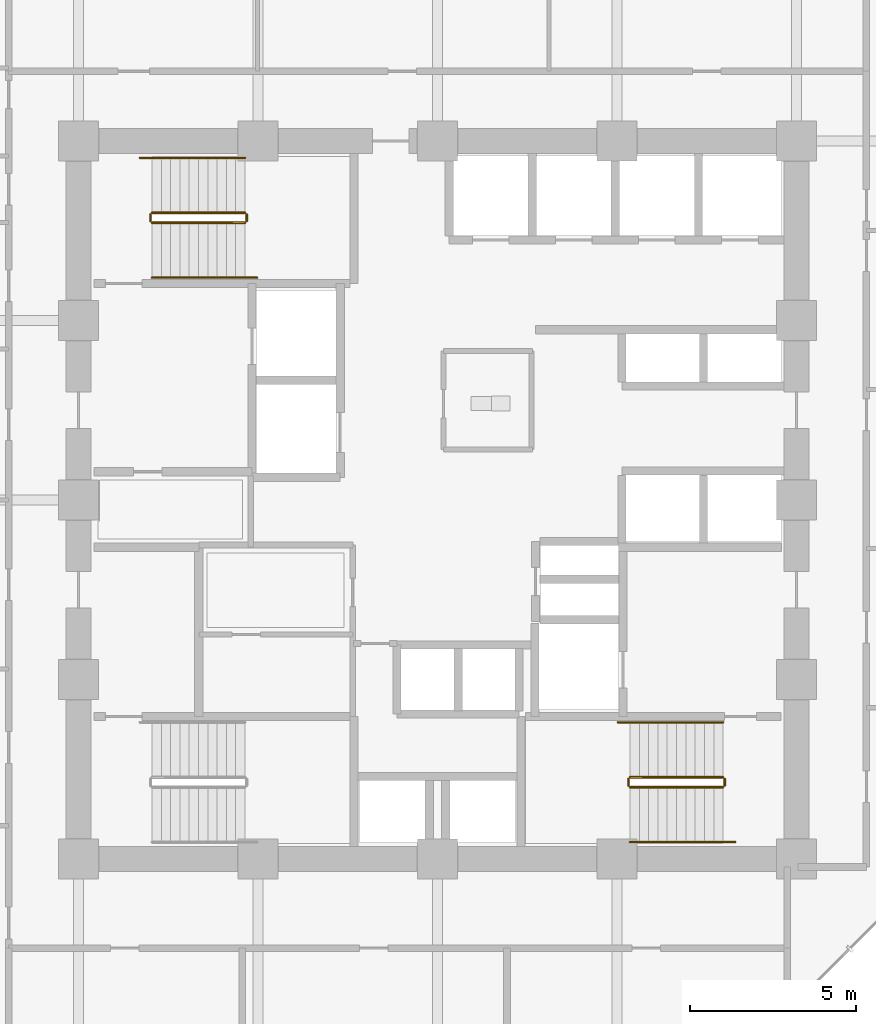
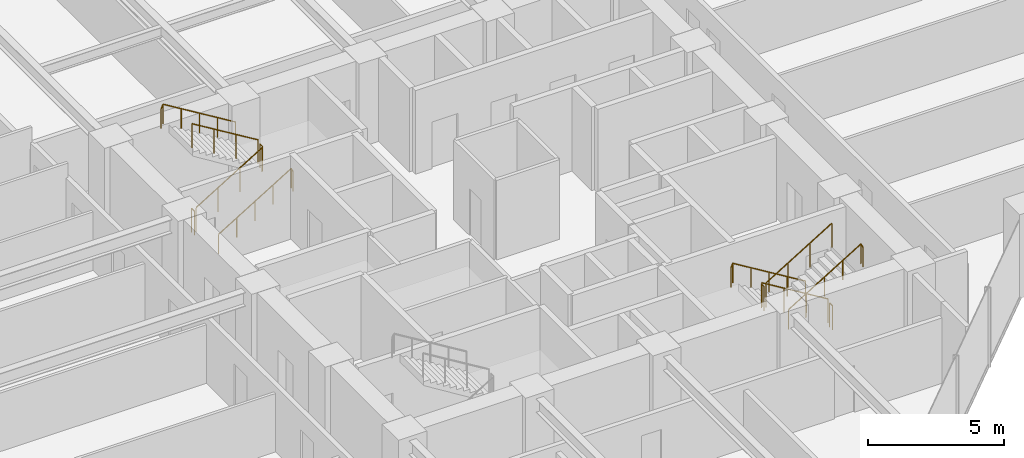
# One storey, part 26 of 28: 12 railings.
"""IFC4 building model written with IfcOpenShell, lengths in metres."""

import ifcopenshell
import ifcopenshell.guid

model = None  # the IFC model being written
_history = None  # IfcOwnerHistory: only IFC2X3 demands one
_inside = {}  # id of a spatial element -> (the spatial element, [elements in it])
_under = {}  # id of a project, library or spatial element -> (it, [spatial elements below it])
_declared = {}  # id of a project -> (the project, [libraries it declares])
_typed = {}  # id of a type object -> (the type object, [elements of that type])
_made_of = {}  # id of a material, layer set ... -> (it, [elements and type objects made of it])


def new_model(schema):
    """Start an empty IFC model of exactly this schema.

    Asked for "IFC4X3", IfcOpenShell would pick the latest addendum, in which some entities
    have other attributes; the version numbers below select the first issue.
    IFC2X3 requires an IfcOwnerHistory on every rooted entity: one is made here for all.
    """
    global model, _history
    if schema == "IFC4X3":
        model = ifcopenshell.file(schema_version=(4, 3, 0, 0))
    else:
        model = ifcopenshell.file(schema=schema)
    _inside.clear()
    _under.clear()
    _declared.clear()
    _typed.clear()
    _made_of.clear()
    _history = None
    if model.schema == "IFC2X3":
        org = make("IfcOrganization", Name="unknown")
        user = make(
            "IfcPersonAndOrganization",
            ThePerson=make("IfcPerson", FamilyName="unknown"),
            TheOrganization=org,
        )
        app = make(
            "IfcApplication",
            ApplicationDeveloper=org,
            Version="unknown",
            ApplicationFullName="unknown",
            ApplicationIdentifier="unknown",
        )
        _history = make(
            "IfcOwnerHistory",
            OwningUser=user,
            OwningApplication=app,
            ChangeAction="ADDED",
            CreationDate=0,
        )
    return model


def make(cls, **values):
    """One entity of the class cls with the attributes given. An attribute that is None is left unset."""
    return model.create_entity(
        cls, **{name: value for name, value in values.items() if value is not None}
    )


def rooted(cls, **values):
    """An entity with a GlobalId (a new one), such as an element, a storey or a relation."""
    return make(cls, GlobalId=ifcopenshell.guid.new(), OwnerHistory=_history, **values)


def si_unit(unit_type, name, prefix=None):
    """IfcSIUnit, for example si_unit("LENGTHUNIT", "METRE", prefix="MILLI")."""
    return make("IfcSIUnit", UnitType=unit_type, Prefix=prefix, Name=name)


def assignment(units):
    """IfcUnitAssignment: the units of a project."""
    return None if units is None else make("IfcUnitAssignment", Units=units)


def point(xyz):
    """IfcCartesianPoint."""
    return None if xyz is None else make("IfcCartesianPoint", Coordinates=xyz)


def direction(xyz):
    """IfcDirection."""
    return None if xyz is None else make("IfcDirection", DirectionRatios=xyz)


def frame(location, z_axis=None, x_axis=None):
    """IfcAxis2Placement3D, a coordinate frame: its origin and axes. An axis left out is left unset."""
    return make(
        "IfcAxis2Placement3D",
        Location=point(location),
        Axis=direction(z_axis),
        RefDirection=direction(x_axis),
    )


def frame_2d(location, x_axis=None):
    """IfcAxis2Placement2D, a coordinate frame in the plane: its origin and x axis."""
    return make(
        "IfcAxis2Placement2D", Location=point(location), RefDirection=direction(x_axis)
    )


def origin():
    """The frame at (0, 0, 0) with its axes left unset."""
    return frame((0.0, 0.0, 0.0))


def origin_2d():
    """The frame at (0, 0) in the plane with its x axis left unset."""
    return frame_2d((0.0, 0.0))


def place(relative_to, where):
    """IfcLocalPlacement: puts the frame where relative to a parent placement (None: the world)."""
    return make(
        "IfcLocalPlacement", PlacementRelTo=relative_to, RelativePlacement=where
    )


def context(
    kind, dimensions, precision=None, world=None, true_north=None, identifier=None
):
    """IfcGeometricRepresentationContext, for example the 3D "Model" context."""
    return make(
        "IfcGeometricRepresentationContext",
        ContextIdentifier=identifier,
        ContextType=kind,
        CoordinateSpaceDimension=dimensions,
        Precision=precision,
        WorldCoordinateSystem=world,
        TrueNorth=true_north,
    )


def subcontext(parent, identifier, kind, view, scale=None):
    """IfcGeometricRepresentationSubContext, for example "Body" below "Model"."""
    return make(
        "IfcGeometricRepresentationSubContext",
        ContextIdentifier=identifier,
        ContextType=kind,
        ParentContext=parent,
        TargetScale=scale,
        TargetView=view,
    )


def project(units=None, contexts=None):
    """IfcProject with its units and contexts."""
    return rooted(
        "IfcProject",
        Name="project",
        RepresentationContexts=contexts,
        UnitsInContext=assignment(units),
    )


def spatial(cls, under=None, at=None, **own):
    """A site, building, storey or space (cls), placed at a placement, below another one or the project."""
    s = rooted(cls, ObjectPlacement=at, **own)
    if under is not None:
        _under.setdefault(under.id(), (under, []))[1].append(s)
    return s


def profile(cls, at=None, kind="AREA", **sizes):
    """A parametric profile (cls). Its sizes go by their IFC names, for example OverallWidth=200.0."""
    return make(cls, ProfileType=kind, Position=at, **sizes)


def circle(**sizes):
    """IfcCircleProfileDef."""
    return profile("IfcCircleProfileDef", **sizes)


def extrude(swept, where, along, depth):
    """IfcExtrudedAreaSolid: the profile swept, set in the frame where, extruded along a direction by depth."""
    return make(
        "IfcExtrudedAreaSolid",
        SweptArea=swept,
        Position=where,
        ExtrudedDirection=direction(along),
        Depth=depth,
    )


def shape(context_of_items, identifier, shape_type, items):
    """IfcShapeRepresentation: the items that make up one representation, for example the "Body"."""
    return make(
        "IfcShapeRepresentation",
        ContextOfItems=context_of_items,
        RepresentationIdentifier=identifier,
        RepresentationType=shape_type,
        Items=items,
    )


def material(Name=None, Category=None):
    """IfcMaterial."""
    return make("IfcMaterial", Name=Name, Category=Category)


def made_of(thing, what):
    """Note that an element or type object is made of a material, layer set ...; save() writes the relation."""
    if what is not None:
        _made_of.setdefault(what.id(), (what, []))[1].append(thing)
    return thing


def type_object(cls, material=None, **own):
    """A type object (cls), such as IfcWallType, which elements share."""
    return made_of(rooted(cls, **own), material)


def element(
    cls,
    number,
    at=None,
    inside=None,
    cuts=None,
    type_object=None,
    material=None,
    context=None,
    identifier="Body",
    shape_type=None,
    held_by="IfcProductDefinitionShape",
    body=None,
    shapes=None,
    **own,
):
    """One element of the class cls, such as IfcWall. Its Tag is "e" and its number.

    at: its placement. inside: the storey or other place that contains it. cuts: it is an
    opening in that element (IfcRelVoidsElement). A single representation is given by context,
    identifier, shape_type and body (its items); several are given by shapes. held_by: the class
    of the entity that holds the representations. save() writes the other relations.
    """
    e = rooted(cls, Tag="e%d" % number, ObjectPlacement=at, **own)
    if body is not None:
        shapes = [shape(context, identifier, shape_type, body)]
    if shapes is not None:
        e.Representation = make(held_by, Representations=shapes)
    if inside is not None:
        _inside.setdefault(inside.id(), (inside, []))[1].append(e)
    if cuts is not None:
        rooted(
            "IfcRelVoidsElement", RelatingBuildingElement=cuts, RelatedOpeningElement=e
        )
    if type_object is not None:
        _typed.setdefault(type_object.id(), (type_object, []))[1].append(e)
    return made_of(e, material)


def aggregate(whole, parts):
    """IfcRelAggregates: a whole, such as a stair, and the parts it consists of."""
    return rooted("IfcRelAggregates", RelatingObject=whole, RelatedObjects=parts)


def save(model, path):
    """Write the relations noted so far, then the file.

    IfcRelAggregates (storeys below a building ...), IfcRelContainedInSpatialStructure (elements
    in a storey), IfcRelDefinesByType, IfcRelAssociatesMaterial and IfcRelDeclares: one each for
    every whole, place, type object, material and project.
    """
    for whole, parts in _under.values():
        aggregate(whole, parts)
    for where, things in _inside.values():
        rooted(
            "IfcRelContainedInSpatialStructure",
            RelatedElements=things,
            RelatingStructure=where,
        )
    for kind, things in _typed.values():
        rooted("IfcRelDefinesByType", RelatedObjects=things, RelatingType=kind)
    for what, things in _made_of.values():
        rooted("IfcRelAssociatesMaterial", RelatedObjects=things, RelatingMaterial=what)
    for by, libraries in _declared.values():
        rooted("IfcRelDeclares", RelatingContext=by, RelatedDefinitions=libraries)
    model.write(path)


model = new_model("IFC4")

# Units and contexts
model_context = context("Model", 3, precision=1e-05, world=origin(), true_north=direction((0.0, 1.0)))
body_context = subcontext(model_context, "Body", "Model", "MODEL_VIEW")
ifc_project = project(units=[si_unit("LENGTHUNIT", "METRE"), si_unit("AREAUNIT", "SQUARE_METRE"), si_unit("VOLUMEUNIT", "CUBIC_METRE"), si_unit("PLANEANGLEUNIT", "RADIAN"), si_unit("MASSUNIT", "GRAM", prefix="KILO")], contexts=[model_context])

# Site, building, storey
site_placement = place(None, origin())
site = spatial("IfcSite", under=ifc_project, at=site_placement, CompositionType="ELEMENT")
building_placement = place(site_placement, origin())
building = spatial("IfcBuilding", under=site, at=building_placement, Name="Surkhivell Harbour Commons", CompositionType="ELEMENT")
storey_placement = place(building_placement, frame((0.0, 0.0, 63.75)))
storey = spatial("IfcBuildingStorey", under=building, at=storey_placement, Name="L16", CompositionType="ELEMENT", Elevation=63.75)

# Railings
ifc_material_1 = material(Name="Galvanised and painted steel S355 guard rail", Category="steel")
railing_type_1 = type_object("IfcRailingType", Name="RAL-ST-GRD1100", PredefinedType="GUARDRAIL", material=ifc_material_1)
railing_1_placement = place(storey_placement, frame((-8.590087890625, 8.340087890625, 0.17041015625)))
element("IfcRailing", 1, at=railing_1_placement, inside=storey, type_object=railing_type_1, Name="L16 ST1 stair guard 1", PredefinedType="GUARDRAIL", context=body_context, shape_type="SweptSolid", body=[
    extrude(circle(Radius=0.02392578125, at=origin_2d()), frame((0.0, 0.0, 1.076171875), z_axis=(0.854169791009, 0.0, 0.51999420009), x_axis=(0.0, 1.0, 0.0)), (0.0, 0.0, 1.0), 3.278076171875),
    extrude(circle(Radius=0.02099609375, at=origin_2d()), origin(), (0.0, 0.0, 1.0), 1.052001953125),
    extrude(circle(Radius=0.02099609375, at=origin_2d()), frame((0.933349609375, 0.0, 0.568115234375)), (0.0, 0.0, 1.0), 1.052001953125),
    extrude(circle(Radius=0.02099609375, at=origin_2d()), frame((1.86669921875, 0.0, 1.136474609375)), (0.0, 0.0, 1.0), 1.052001953125),
    extrude(circle(Radius=0.02099609375, at=origin_2d()), frame((2.800048828125, 0.0, 1.70458984375)), (0.0, 0.0, 1.0), 1.052001953125),
])
railing_2_placement = place(storey_placement, frame((-5.739990234375, 8.389892578125, 1.875)))
element("IfcRailing", 2, at=railing_2_placement, inside=storey, type_object=railing_type_1, Name="L16 ST1 stair guard 2", PredefinedType="GUARDRAIL", context=body_context, shape_type="SweptSolid", body=[
    extrude(circle(Radius=0.02392578125, at=origin_2d()), frame((0.0, 0.0, 1.076171875), z_axis=(0.0, 1.0, 0.0), x_axis=(-1.0, 0.0, 0.0)), (0.0, 0.0, 1.0), 0.2001953125),
    extrude(circle(Radius=0.02099609375, at=origin_2d()), origin(), (0.0, 0.0, 1.0), 1.052001953125),
    extrude(circle(Radius=0.02099609375, at=origin_2d()), frame((0.0, 0.2001953125, 0.0)), (0.0, 0.0, 1.0), 1.052001953125),
])
railing_3_placement = place(storey_placement, frame((-5.7900390625, 8.639892578125, 2.04541015625)))
element("IfcRailing", 3, at=railing_3_placement, inside=storey, type_object=railing_type_1, Name="L16 ST1 stair guard 3", PredefinedType="GUARDRAIL", context=body_context, shape_type="SweptSolid", body=[
    extrude(circle(Radius=0.02392578125, at=origin_2d()), frame((0.0, 0.0, 1.076171875), z_axis=(-0.854169791009, 0.0, 0.51999420009), x_axis=(0.0, -1.0, 0.0)), (0.0, 0.0, 1.0), 3.278076171875),
    extrude(circle(Radius=0.02099609375, at=origin_2d()), origin(), (0.0, 0.0, 1.0), 1.052001953125),
    extrude(circle(Radius=0.02099609375, at=origin_2d()), frame((-0.933349609375, 0.0, 0.568115234375)), (0.0, 0.0, 1.0), 1.052001953125),
    extrude(circle(Radius=0.02099609375, at=origin_2d()), frame((-1.86669921875, 0.0, 1.136474609375)), (0.0, 0.0, 1.0), 1.052001953125),
    extrude(circle(Radius=0.02099609375, at=origin_2d()), frame((-2.800048828125, 0.0, 1.70458984375)), (0.0, 0.0, 1.0), 1.052001953125),
])
railing_4_placement = place(storey_placement, frame((-8.639892578125, 8.389892578125, 0.0)))
element("IfcRailing", 4, at=railing_4_placement, inside=storey, type_object=railing_type_1, Name="L16 ST1 stair guard 4", PredefinedType="GUARDRAIL", context=body_context, shape_type="SweptSolid", body=[
    extrude(circle(Radius=0.02392578125, at=origin_2d()), frame((0.0, 0.0, 1.076171875), z_axis=(0.0, 1.0, 0.0), x_axis=(-1.0, 0.0, 0.0)), (0.0, 0.0, 1.0), 0.2001953125),
    extrude(circle(Radius=0.02099609375, at=origin_2d()), origin(), (0.0, 0.0, 1.0), 1.052001953125),
    extrude(circle(Radius=0.02099609375, at=origin_2d()), frame((0.0, 0.2001953125, 0.0)), (0.0, 0.0, 1.0), 1.052001953125),
])
railing_5_placement = place(storey_placement, frame((8.590087890625, -8.340087890625, 0.17041015625)))
element("IfcRailing", 5, at=railing_5_placement, inside=storey, type_object=railing_type_1, Name="L16 ST2 stair guard 1", PredefinedType="GUARDRAIL", context=body_context, shape_type="SweptSolid", body=[
    extrude(circle(Radius=0.02392578125, at=origin_2d()), frame((0.0, 0.0, 1.076171875), z_axis=(-0.854169791009, 0.0, 0.51999420009), x_axis=(0.0, -1.0, 0.0)), (0.0, 0.0, 1.0), 3.278076171875),
    extrude(circle(Radius=0.02099609375, at=origin_2d()), origin(), (0.0, 0.0, 1.0), 1.052001953125),
    extrude(circle(Radius=0.02099609375, at=origin_2d()), frame((-0.933349609375, 0.0, 0.568115234375)), (0.0, 0.0, 1.0), 1.052001953125),
    extrude(circle(Radius=0.02099609375, at=origin_2d()), frame((-1.86669921875, 0.0, 1.136474609375)), (0.0, 0.0, 1.0), 1.052001953125),
    extrude(circle(Radius=0.02099609375, at=origin_2d()), frame((-2.800048828125, 0.0, 1.70458984375)), (0.0, 0.0, 1.0), 1.052001953125),
])
railing_6_placement = place(storey_placement, frame((5.739990234375, -8.389892578125, 1.875)))
element("IfcRailing", 6, at=railing_6_placement, inside=storey, type_object=railing_type_1, Name="L16 ST2 stair guard 2", PredefinedType="GUARDRAIL", context=body_context, shape_type="SweptSolid", body=[
    extrude(circle(Radius=0.02392578125, at=origin_2d()), frame((0.0, 0.0, 1.076171875), z_axis=(0.0, -1.0, 0.0), x_axis=(1.0, 0.0, 0.0)), (0.0, 0.0, 1.0), 0.2001953125),
    extrude(circle(Radius=0.02099609375, at=origin_2d()), origin(), (0.0, 0.0, 1.0), 1.052001953125),
    extrude(circle(Radius=0.02099609375, at=origin_2d()), frame((0.0, -0.2001953125, 0.0)), (0.0, 0.0, 1.0), 1.052001953125),
])
railing_7_placement = place(storey_placement, frame((5.7900390625, -8.639892578125, 2.04541015625)))
element("IfcRailing", 7, at=railing_7_placement, inside=storey, type_object=railing_type_1, Name="L16 ST2 stair guard 3", PredefinedType="GUARDRAIL", context=body_context, shape_type="SweptSolid", body=[
    extrude(circle(Radius=0.02392578125, at=origin_2d()), frame((0.0, 0.0, 1.076171875), z_axis=(0.854169791009, 0.0, 0.51999420009), x_axis=(0.0, 1.0, 0.0)), (0.0, 0.0, 1.0), 3.278076171875),
    extrude(circle(Radius=0.02099609375, at=origin_2d()), origin(), (0.0, 0.0, 1.0), 1.052001953125),
    extrude(circle(Radius=0.02099609375, at=origin_2d()), frame((0.933349609375, 0.0, 0.568115234375)), (0.0, 0.0, 1.0), 1.052001953125),
    extrude(circle(Radius=0.02099609375, at=origin_2d()), frame((1.86669921875, 0.0, 1.136474609375)), (0.0, 0.0, 1.0), 1.052001953125),
    extrude(circle(Radius=0.02099609375, at=origin_2d()), frame((2.800048828125, 0.0, 1.70458984375)), (0.0, 0.0, 1.0), 1.052001953125),
])
railing_8_placement = place(storey_placement, frame((8.639892578125, -8.389892578125, 0.0)))
element("IfcRailing", 8, at=railing_8_placement, inside=storey, type_object=railing_type_1, Name="L16 ST2 stair guard 4", PredefinedType="GUARDRAIL", context=body_context, shape_type="SweptSolid", body=[
    extrude(circle(Radius=0.02392578125, at=origin_2d()), frame((0.0, 0.0, 1.076171875), z_axis=(0.0, -1.0, 0.0), x_axis=(1.0, 0.0, 0.0)), (0.0, 0.0, 1.0), 0.2001953125),
    extrude(circle(Radius=0.02099609375, at=origin_2d()), origin(), (0.0, 0.0, 1.0), 1.052001953125),
    extrude(circle(Radius=0.02099609375, at=origin_2d()), frame((0.0, -0.2001953125, 0.0)), (0.0, 0.0, 1.0), 1.052001953125),
])
ifc_material_2 = material(Name="Brushed stainless steel S355 handrail", Category="steel")
railing_type_2 = type_object("IfcRailingType", Name="RAL-ST-HND900", PredefinedType="HANDRAIL", material=ifc_material_2)
railing_9_placement = place(storey_placement, frame((-8.590087890625, 6.68994140625, 0.17041015625)))
element("IfcRailing", 9, at=railing_9_placement, inside=storey, type_object=railing_type_2, Name="L16 ST1 stair handrail 1", PredefinedType="HANDRAIL", context=body_context, shape_type="SweptSolid", body=[
    extrude(circle(Radius=0.02392578125, at=origin_2d()), frame((0.0, 0.0, 0.8759765625), z_axis=(0.854177636135, 0.0, 0.519981313056), x_axis=(0.0, 1.0, 0.0)), (0.0, 0.0, 1.0), 3.60595703125),
    extrude(circle(Radius=0.02392578125, at=origin_2d()), frame((3.080078125, 0.0, 2.7509765625), z_axis=(0.425297416671, 0.0, -0.905053648892), x_axis=(0.0, 1.0, 0.0)), (0.0, 0.0, 1.0), 0.188232421875),
    extrude(circle(Radius=0.02099609375, at=origin_2d()), origin(), (0.0, 0.0, 1.0), 0.851806640625),
    extrude(circle(Radius=0.02099609375, at=origin_2d()), frame((0.77001953125, 0.0, 0.46875)), (0.0, 0.0, 1.0), 0.851806640625),
    extrude(circle(Radius=0.02099609375, at=origin_2d()), frame((1.5400390625, 0.0, 0.9375)), (0.0, 0.0, 1.0), 0.851806640625),
    extrude(circle(Radius=0.02099609375, at=origin_2d()), frame((2.31005859375, 0.0, 1.40625)), (0.0, 0.0, 1.0), 0.851806640625),
    extrude(circle(Radius=0.02099609375, at=origin_2d()), frame((3.080078125, 0.0, 1.875)), (0.0, 0.0, 1.0), 0.851806640625),
    extrude(circle(Radius=0.02099609375, at=origin_2d()), frame((3.16015625, 0.0, 1.70458984375)), (0.0, 0.0, 1.0), 0.851806640625),
])
railing_10_placement = place(storey_placement, frame((-5.7900390625, 10.2900390625, 2.04541015625)))
element("IfcRailing", 10, at=railing_10_placement, inside=storey, type_object=railing_type_2, Name="L16 ST1 stair handrail 2", PredefinedType="HANDRAIL", context=body_context, shape_type="SweptSolid", body=[
    extrude(circle(Radius=0.02392578125, at=origin_2d()), frame((0.0, 0.0, 0.8759765625), z_axis=(-0.854177636135, 0.0, 0.519981313056), x_axis=(0.0, -1.0, 0.0)), (0.0, 0.0, 1.0), 3.60595703125),
    extrude(circle(Radius=0.02392578125, at=origin_2d()), frame((-3.080078125, 0.0, 2.7509765625), z_axis=(-0.424234432967, 0.0, -0.905552398199), x_axis=(0.0, -1.0, 0.0)), (0.0, 0.0, 1.0), 0.188232421875),
    extrude(circle(Radius=0.02099609375, at=origin_2d()), origin(), (0.0, 0.0, 1.0), 0.851806640625),
    extrude(circle(Radius=0.02099609375, at=origin_2d()), frame((-0.77001953125, 0.0, 0.46875)), (0.0, 0.0, 1.0), 0.851806640625),
    extrude(circle(Radius=0.02099609375, at=origin_2d()), frame((-1.5400390625, 0.0, 0.9375)), (0.0, 0.0, 1.0), 0.851806640625),
    extrude(circle(Radius=0.02099609375, at=origin_2d()), frame((-2.31005859375, 0.0, 1.40625)), (0.0, 0.0, 1.0), 0.851806640625),
    extrude(circle(Radius=0.02099609375, at=origin_2d()), frame((-3.080078125, 0.0, 1.875)), (0.0, 0.0, 1.0), 0.851806640625),
    extrude(circle(Radius=0.02099609375, at=origin_2d()), frame((-3.159912109375, 0.0, 1.70458984375)), (0.0, 0.0, 1.0), 0.851806640625),
])
railing_11_placement = place(storey_placement, frame((8.590087890625, -6.68994140625, 0.17041015625)))
element("IfcRailing", 11, at=railing_11_placement, inside=storey, type_object=railing_type_2, Name="L16 ST2 stair handrail 1", PredefinedType="HANDRAIL", context=body_context, shape_type="SweptSolid", body=[
    extrude(circle(Radius=0.02392578125, at=origin_2d()), frame((0.0, 0.0, 0.8759765625), z_axis=(-0.854177636135, 0.0, 0.519981313056), x_axis=(0.0, -1.0, 0.0)), (0.0, 0.0, 1.0), 3.60595703125),
    extrude(circle(Radius=0.02392578125, at=origin_2d()), frame((-3.080078125, 0.0, 2.7509765625), z_axis=(-0.425297416671, 0.0, -0.905053648892), x_axis=(0.0, -1.0, 0.0)), (0.0, 0.0, 1.0), 0.188232421875),
    extrude(circle(Radius=0.02099609375, at=origin_2d()), origin(), (0.0, 0.0, 1.0), 0.851806640625),
    extrude(circle(Radius=0.02099609375, at=origin_2d()), frame((-0.77001953125, 0.0, 0.46875)), (0.0, 0.0, 1.0), 0.851806640625),
    extrude(circle(Radius=0.02099609375, at=origin_2d()), frame((-1.5400390625, 0.0, 0.9375)), (0.0, 0.0, 1.0), 0.851806640625),
    extrude(circle(Radius=0.02099609375, at=origin_2d()), frame((-2.31005859375, 0.0, 1.40625)), (0.0, 0.0, 1.0), 0.851806640625),
    extrude(circle(Radius=0.02099609375, at=origin_2d()), frame((-3.080078125, 0.0, 1.875)), (0.0, 0.0, 1.0), 0.851806640625),
    extrude(circle(Radius=0.02099609375, at=origin_2d()), frame((-3.16015625, 0.0, 1.70458984375)), (0.0, 0.0, 1.0), 0.851806640625),
])
railing_12_placement = place(storey_placement, frame((5.7900390625, -10.2900390625, 2.04541015625)))
element("IfcRailing", 12, at=railing_12_placement, inside=storey, type_object=railing_type_2, Name="L16 ST2 stair handrail 2", PredefinedType="HANDRAIL", context=body_context, shape_type="SweptSolid", body=[
    extrude(circle(Radius=0.02392578125, at=origin_2d()), frame((0.0, 0.0, 0.8759765625), z_axis=(0.854177636135, 0.0, 0.519981313056), x_axis=(0.0, 1.0, 0.0)), (0.0, 0.0, 1.0), 3.60595703125),
    extrude(circle(Radius=0.02392578125, at=origin_2d()), frame((3.080078125, 0.0, 2.7509765625), z_axis=(0.424234432967, 0.0, -0.905552398199), x_axis=(0.0, 1.0, 0.0)), (0.0, 0.0, 1.0), 0.188232421875),
    extrude(circle(Radius=0.02099609375, at=origin_2d()), origin(), (0.0, 0.0, 1.0), 0.851806640625),
    extrude(circle(Radius=0.02099609375, at=origin_2d()), frame((0.77001953125, 0.0, 0.46875)), (0.0, 0.0, 1.0), 0.851806640625),
    extrude(circle(Radius=0.02099609375, at=origin_2d()), frame((1.5400390625, 0.0, 0.9375)), (0.0, 0.0, 1.0), 0.851806640625),
    extrude(circle(Radius=0.02099609375, at=origin_2d()), frame((2.31005859375, 0.0, 1.40625)), (0.0, 0.0, 1.0), 0.851806640625),
    extrude(circle(Radius=0.02099609375, at=origin_2d()), frame((3.080078125, 0.0, 1.875)), (0.0, 0.0, 1.0), 0.851806640625),
    extrude(circle(Radius=0.02099609375, at=origin_2d()), frame((3.159912109375, 0.0, 1.70458984375)), (0.0, 0.0, 1.0), 0.851806640625),
])

save(model, "model.ifc")
